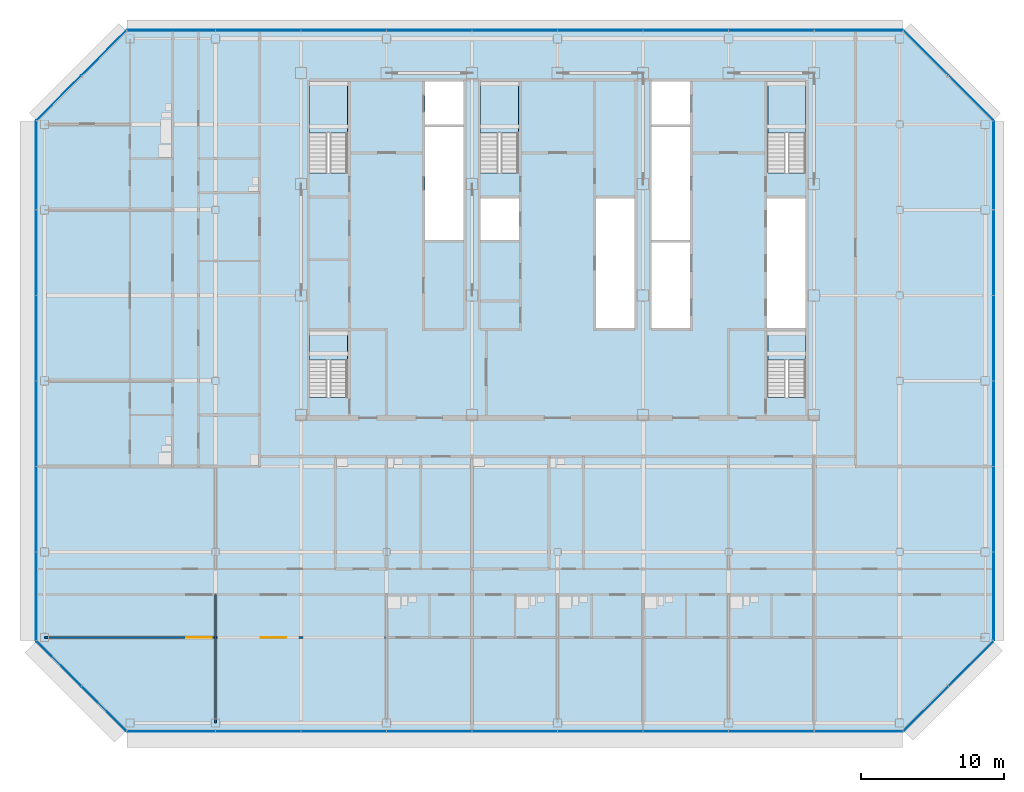
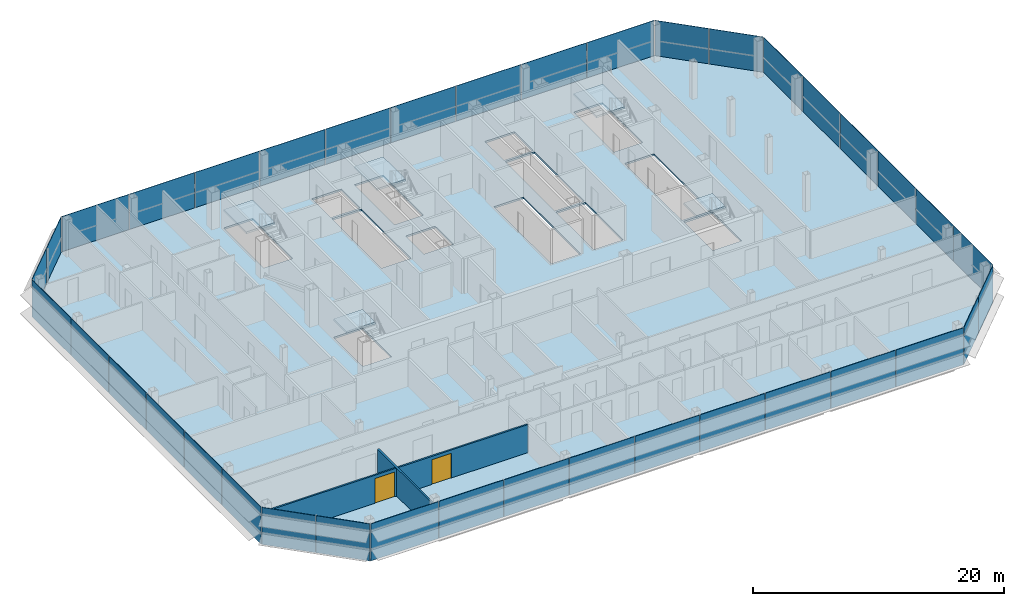
# One storey, part 20 of 28: 38 plates, 6 slabs, 2 doors, 2 walls, 2 openings, 13 elements without a shape of their own.
"""IFC4 building model written with IfcOpenShell, lengths in metres."""

from ifc_helpers import new_model, si_unit, direction, frame, frame_2d, origin, origin_2d, place, context, subcontext, project, spatial, polyline, rectangle, outline, extrude, material, layer, layer_set, type_object, element, fill, aggregate, save


model = new_model("IFC4")

# Units and contexts
model_context = context("Model", 3, precision=1e-05, world=origin(), true_north=direction((0.0, 1.0)))
body_context = subcontext(model_context, "Body", "Model", "MODEL_VIEW")
ifc_project = project(units=[si_unit("LENGTHUNIT", "METRE"), si_unit("AREAUNIT", "SQUARE_METRE"), si_unit("VOLUMEUNIT", "CUBIC_METRE"), si_unit("PLANEANGLEUNIT", "RADIAN"), si_unit("MASSUNIT", "GRAM", prefix="KILO")], contexts=[model_context])

# Site, building, storey
site_placement = place(None, origin())
site = spatial("IfcSite", under=ifc_project, at=site_placement, CompositionType="ELEMENT")
building_placement = place(site_placement, origin())
building = spatial("IfcBuilding", under=site, at=building_placement, Name="Sorahane Residences", CompositionType="ELEMENT")
storey_placement = place(building_placement, frame((0.0, 0.0, 250.39990234375)))
storey = spatial("IfcBuildingStorey", under=building, at=storey_placement, Name="L59", CompositionType="ELEMENT", Elevation=250.39990234375)

# Slab
ifc_material_1 = material(Name="Concrete C35", Category="concrete")
ifc_layer_1 = layer(ifc_material_1, 0.179931640625)
ifc_layer_set_1 = layer_set([ifc_layer_1], Name="Composite floor slab 180 mm Concrete C35")
slab_type_1 = type_object("IfcSlabType", Name="Composite floor slab 180 mm Concrete C35", PredefinedType="FLOOR", material=ifc_layer_set_1)
slab_1_placement = place(storey_placement, frame((0.0, 0.0, -0.179931640625)))
element("IfcSlab", 1, at=slab_1_placement, inside=storey, type_object=slab_type_1, Name="Slab L59", PredefinedType="FLOOR", context=body_context, shape_type="SweptSolid", body=[
    extrude(outline(polyline([(-6.24853515625, -0.60009765625), (-12.60009765625, 5.75146484375), (-12.60009765625, 42.24853515625), (-6.24853515625, 48.60009765625), (48.24853515625, 48.60009765625), (54.60009765625, 42.24853515625), (54.60009765625, 5.75146484375), (48.24853515625, -0.60009765625), (-6.24853515625, -0.60009765625)]), holes=[polyline([(38.699951171875, 27.699951171875), (41.39990234375, 27.699951171875), (41.39990234375, 36.800048828125), (38.699951171875, 36.800048828125), (38.699951171875, 27.699951171875)]), polyline([(30.60009765625, 27.699951171875), (33.300048828125, 27.699951171875), (33.300048828125, 33.699951171875), (30.60009765625, 33.699951171875), (30.60009765625, 27.699951171875)]), polyline([(30.60009765625, 42.0), (33.300048828125, 42.0), (33.300048828125, 45.0), (30.60009765625, 45.0), (30.60009765625, 42.0)]), polyline([(14.699951171875, 42.0), (17.39990234375, 42.0), (17.39990234375, 45.0), (14.699951171875, 45.0), (14.699951171875, 42.0)]), polyline([(9.25, 38.60009765625), (9.25, 45.0), (6.60009765625, 45.0), (6.60009765625, 38.60009765625), (9.25, 38.60009765625)]), polyline([(41.39990234375, 38.60009765625), (41.39990234375, 45.0), (38.75, 45.0), (38.75, 38.60009765625), (41.39990234375, 38.60009765625)]), polyline([(21.25, 38.60009765625), (21.25, 45.0), (18.60009765625, 45.0), (18.60009765625, 38.60009765625), (21.25, 38.60009765625)]), polyline([(9.25, 22.85009765625), (9.25, 27.5), (6.60009765625, 27.5), (6.60009765625, 22.85009765625), (9.25, 22.85009765625)]), polyline([(41.39990234375, 22.85009765625), (41.39990234375, 27.5), (38.75, 27.5), (38.75, 22.85009765625), (41.39990234375, 22.85009765625)]), polyline([(14.699951171875, 33.89990234375), (17.39990234375, 33.89990234375), (17.39990234375, 41.800048828125), (14.699951171875, 41.800048828125), (14.699951171875, 33.89990234375)]), polyline([(30.60009765625, 33.89990234375), (33.300048828125, 33.89990234375), (33.300048828125, 41.800048828125), (30.60009765625, 41.800048828125), (30.60009765625, 33.89990234375)]), polyline([(18.60009765625, 33.89990234375), (21.300048828125, 33.89990234375), (21.300048828125, 36.800048828125), (18.60009765625, 36.800048828125), (18.60009765625, 33.89990234375)]), polyline([(26.699951171875, 27.699951171875), (29.39990234375, 27.699951171875), (29.39990234375, 36.800048828125), (26.699951171875, 36.800048828125), (26.699951171875, 27.699951171875)])]), origin(), (0.0, 0.0, 1.0), 0.179931640625),
])

# Curtain wall, plates
ifc_material_2 = material(Name="Dark low-e glass and black anodised aluminium", Category="aluminium")
curtain_wall_type_1 = type_object("IfcCurtainWallType", Name="Curtain wall CW-1 Typical unitised wall", PredefinedType="NOTDEFINED", material=ifc_material_2)
curtain_wall_1_placement = place(storey_placement, origin())
curtain_wall_1 = element("IfcCurtainWall", 2, at=curtain_wall_1_placement, inside=storey, type_object=curtain_wall_type_1, Name="CW-1 curtain wall L59 S1", PredefinedType="NOTDEFINED")
ifc_material_3 = material(Name="Dark low-e glass with black ceramic frit", Category="glass")
ifc_layer_2 = layer(ifc_material_3, 0.0400390625)
ifc_layer_set_2 = layer_set([ifc_layer_2], Name="Curtain wall glass panel dark low-e with black frit spandrel band")
plate_type = type_object("IfcPlateType", Name="Curtain wall glass panel dark low-e with black frit spandrel band", PredefinedType="CURTAIN_PANEL", material=ifc_layer_set_2)
plate_1_placement = place(storey_placement, frame((-3.11181640625, -0.60009765625, -0.179931640625), z_axis=(0.0, 0.0, 1.0), x_axis=(1.0, 0.0, 0.0)))
plate_1 = element("IfcPlate", 3, at=plate_1_placement, type_object=plate_type, Name="CW-1 glass panel L59 S1.1", PredefinedType="CURTAIN_PANEL", context=body_context, shape_type="SweptSolid", body=[
    extrude(rectangle(XDim=6.173583984375, YDim=0.0400390625, at=origin_2d()), origin(), (0.0, 0.0, 1.0), 3.60009765625),
])
plate_2_placement = place(storey_placement, frame((3.0, -0.60009765625, -0.179931640625), z_axis=(0.0, 0.0, 1.0), x_axis=(1.0, 0.0, 0.0)))
plate_2 = element("IfcPlate", 4, at=plate_2_placement, type_object=plate_type, Name="CW-1 glass panel L59 S1.2", PredefinedType="CURTAIN_PANEL", context=body_context, shape_type="SweptSolid", body=[
    extrude(rectangle(XDim=5.949951171875, YDim=0.0400390625, at=origin_2d()), origin(), (0.0, 0.0, 1.0), 3.60009765625),
])
plate_3_placement = place(storey_placement, frame((9.0, -0.60009765625, -0.179931640625), z_axis=(0.0, 0.0, 1.0), x_axis=(1.0, 0.0, 0.0)))
plate_3 = element("IfcPlate", 5, at=plate_3_placement, type_object=plate_type, Name="CW-1 glass panel L59 S1.3", PredefinedType="CURTAIN_PANEL", context=body_context, shape_type="SweptSolid", body=[
    extrude(rectangle(XDim=5.949951171875, YDim=0.0400390625, at=origin_2d()), origin(), (0.0, 0.0, 1.0), 3.60009765625),
])
plate_4_placement = place(storey_placement, frame((15.0, -0.60009765625, -0.179931640625), z_axis=(0.0, 0.0, 1.0), x_axis=(1.0, 0.0, 0.0)))
plate_4 = element("IfcPlate", 6, at=plate_4_placement, type_object=plate_type, Name="CW-1 glass panel L59 S1.4", PredefinedType="CURTAIN_PANEL", context=body_context, shape_type="SweptSolid", body=[
    extrude(rectangle(XDim=5.949951171875, YDim=0.0400390625, at=origin_2d()), origin(), (0.0, 0.0, 1.0), 3.60009765625),
])
plate_5_placement = place(storey_placement, frame((21.0, -0.60009765625, -0.179931640625), z_axis=(0.0, 0.0, 1.0), x_axis=(1.0, 0.0, 0.0)))
plate_5 = element("IfcPlate", 7, at=plate_5_placement, type_object=plate_type, Name="CW-1 glass panel L59 S1.5", PredefinedType="CURTAIN_PANEL", context=body_context, shape_type="SweptSolid", body=[
    extrude(rectangle(XDim=5.949951171875, YDim=0.0400390625, at=origin_2d()), origin(), (0.0, 0.0, 1.0), 3.60009765625),
])
plate_6_placement = place(storey_placement, frame((27.0, -0.60009765625, -0.179931640625), z_axis=(0.0, 0.0, 1.0), x_axis=(1.0, 0.0, 0.0)))
plate_6 = element("IfcPlate", 8, at=plate_6_placement, type_object=plate_type, Name="CW-1 glass panel L59 S1.6", PredefinedType="CURTAIN_PANEL", context=body_context, shape_type="SweptSolid", body=[
    extrude(rectangle(XDim=5.949951171875, YDim=0.0400390625, at=origin_2d()), origin(), (0.0, 0.0, 1.0), 3.60009765625),
])
plate_7_placement = place(storey_placement, frame((33.0, -0.60009765625, -0.179931640625), z_axis=(0.0, 0.0, 1.0), x_axis=(1.0, 0.0, 0.0)))
plate_7 = element("IfcPlate", 9, at=plate_7_placement, type_object=plate_type, Name="CW-1 glass panel L59 S1.7", PredefinedType="CURTAIN_PANEL", context=body_context, shape_type="SweptSolid", body=[
    extrude(rectangle(XDim=5.949951171875, YDim=0.0400390625, at=origin_2d()), origin(), (0.0, 0.0, 1.0), 3.60009765625),
])
plate_8_placement = place(storey_placement, frame((39.0, -0.60009765625, -0.179931640625), z_axis=(0.0, 0.0, 1.0), x_axis=(1.0, 0.0, 0.0)))
plate_8 = element("IfcPlate", 10, at=plate_8_placement, type_object=plate_type, Name="CW-1 glass panel L59 S1.8", PredefinedType="CURTAIN_PANEL", context=body_context, shape_type="SweptSolid", body=[
    extrude(rectangle(XDim=5.949951171875, YDim=0.0400390625, at=origin_2d()), origin(), (0.0, 0.0, 1.0), 3.60009765625),
])
plate_9_placement = place(storey_placement, frame((45.11181640625, -0.60009765625, -0.179931640625), z_axis=(0.0, 0.0, 1.0), x_axis=(1.0, 0.0, 0.0)))
plate_9 = element("IfcPlate", 11, at=plate_9_placement, type_object=plate_type, Name="CW-1 glass panel L59 S1.9", PredefinedType="CURTAIN_PANEL", context=body_context, shape_type="SweptSolid", body=[
    extrude(rectangle(XDim=6.173583984375, YDim=0.0400390625, at=origin_2d()), origin(), (0.0, 0.0, 1.0), 3.60009765625),
])
aggregate(curtain_wall_1, [plate_1, plate_2, plate_3, plate_4, plate_5, plate_6, plate_7, plate_8, plate_9])

ifc_material_4 = material(Name="Dark low-e glass and black anodised aluminium", Category="aluminium")
curtain_wall_type_2 = type_object("IfcCurtainWallType", Name="Curtain wall CW-2 Chamfer unitised wall", PredefinedType="NOTDEFINED", material=ifc_material_4)
curtain_wall_2_placement = place(storey_placement, origin())
curtain_wall_2 = element("IfcCurtainWall", 12, at=curtain_wall_2_placement, inside=storey, type_object=curtain_wall_type_2, Name="CW-2 curtain wall L59 SE1", PredefinedType="NOTDEFINED")
plate_10_placement = place(storey_placement, frame((49.84521484375, 0.996826171875, -0.179931640625), z_axis=(0.0, 0.0, 1.0), x_axis=(0.707106781187, 0.707106781187, 0.0)))
plate_10 = element("IfcPlate", 13, at=plate_10_placement, type_object=plate_type, Name="CW-2 glass panel L59 SE1.1", PredefinedType="CURTAIN_PANEL", context=body_context, shape_type="SweptSolid", body=[
    extrude(rectangle(XDim=4.416259765625, YDim=0.0400390625, at=origin_2d()), origin(), (0.0, 0.0, 1.0), 3.60009765625),
])
plate_11_placement = place(storey_placement, frame((53.003173828125, 4.15478515625, -0.179931640625), z_axis=(0.0, 0.0, 1.0), x_axis=(0.707106781187, 0.707106781187, 0.0)))
plate_11 = element("IfcPlate", 14, at=plate_11_placement, type_object=plate_type, Name="CW-2 glass panel L59 SE1.2", PredefinedType="CURTAIN_PANEL", context=body_context, shape_type="SweptSolid", body=[
    extrude(rectangle(XDim=4.416259765625, YDim=0.0400390625, at=origin_2d()), origin(), (0.0, 0.0, 1.0), 3.60009765625),
])
aggregate(curtain_wall_2, [plate_10, plate_11])

curtain_wall_3_placement = place(storey_placement, origin())
curtain_wall_3 = element("IfcCurtainWall", 15, at=curtain_wall_3_placement, inside=storey, type_object=curtain_wall_type_1, Name="CW-1 curtain wall L59 E1", PredefinedType="NOTDEFINED")
plate_12_placement = place(storey_placement, frame((54.60009765625, 8.88818359375, -0.179931640625), z_axis=(0.0, 0.0, 1.0), x_axis=(0.0, 1.0, 0.0)))
plate_12 = element("IfcPlate", 16, at=plate_12_placement, type_object=plate_type, Name="CW-1 glass panel L59 E1.1", PredefinedType="CURTAIN_PANEL", context=body_context, shape_type="SweptSolid", body=[
    extrude(rectangle(XDim=6.173583984375, YDim=0.0400390625, at=origin_2d()), origin(), (0.0, 0.0, 1.0), 3.60009765625),
])
plate_13_placement = place(storey_placement, frame((54.60009765625, 15.0, -0.179931640625), z_axis=(0.0, 0.0, 1.0), x_axis=(0.0, 1.0, 0.0)))
plate_13 = element("IfcPlate", 17, at=plate_13_placement, type_object=plate_type, Name="CW-1 glass panel L59 E1.2", PredefinedType="CURTAIN_PANEL", context=body_context, shape_type="SweptSolid", body=[
    extrude(rectangle(XDim=5.949951171875, YDim=0.0400390625, at=origin_2d()), origin(), (0.0, 0.0, 1.0), 3.60009765625),
])
plate_14_placement = place(storey_placement, frame((54.60009765625, 21.0, -0.179931640625), z_axis=(0.0, 0.0, 1.0), x_axis=(0.0, 1.0, 0.0)))
plate_14 = element("IfcPlate", 18, at=plate_14_placement, type_object=plate_type, Name="CW-1 glass panel L59 E1.3", PredefinedType="CURTAIN_PANEL", context=body_context, shape_type="SweptSolid", body=[
    extrude(rectangle(XDim=5.949951171875, YDim=0.0400390625, at=origin_2d()), origin(), (0.0, 0.0, 1.0), 3.60009765625),
])
plate_15_placement = place(storey_placement, frame((54.60009765625, 27.0, -0.179931640625), z_axis=(0.0, 0.0, 1.0), x_axis=(0.0, 1.0, 0.0)))
plate_15 = element("IfcPlate", 19, at=plate_15_placement, type_object=plate_type, Name="CW-1 glass panel L59 E1.4", PredefinedType="CURTAIN_PANEL", context=body_context, shape_type="SweptSolid", body=[
    extrude(rectangle(XDim=5.949951171875, YDim=0.0400390625, at=origin_2d()), origin(), (0.0, 0.0, 1.0), 3.60009765625),
])
plate_16_placement = place(storey_placement, frame((54.60009765625, 33.0, -0.179931640625), z_axis=(0.0, 0.0, 1.0), x_axis=(0.0, 1.0, 0.0)))
plate_16 = element("IfcPlate", 20, at=plate_16_placement, type_object=plate_type, Name="CW-1 glass panel L59 E1.5", PredefinedType="CURTAIN_PANEL", context=body_context, shape_type="SweptSolid", body=[
    extrude(rectangle(XDim=5.949951171875, YDim=0.0400390625, at=origin_2d()), origin(), (0.0, 0.0, 1.0), 3.60009765625),
])
plate_17_placement = place(storey_placement, frame((54.60009765625, 39.11181640625, -0.179931640625), z_axis=(0.0, 0.0, 1.0), x_axis=(0.0, 1.0, 0.0)))
plate_17 = element("IfcPlate", 21, at=plate_17_placement, type_object=plate_type, Name="CW-1 glass panel L59 E1.6", PredefinedType="CURTAIN_PANEL", context=body_context, shape_type="SweptSolid", body=[
    extrude(rectangle(XDim=6.173583984375, YDim=0.0400390625, at=origin_2d()), origin(), (0.0, 0.0, 1.0), 3.60009765625),
])
aggregate(curtain_wall_3, [plate_12, plate_13, plate_14, plate_15, plate_16, plate_17])

curtain_wall_4_placement = place(storey_placement, origin())
curtain_wall_4 = element("IfcCurtainWall", 22, at=curtain_wall_4_placement, inside=storey, type_object=curtain_wall_type_2, Name="CW-2 curtain wall L59 NE1", PredefinedType="NOTDEFINED")
plate_18_placement = place(storey_placement, frame((53.003173828125, 43.84521484375, -0.179931640625), z_axis=(0.0, 0.0, 1.0), x_axis=(-0.707106781187, 0.707106781187, 0.0)))
plate_18 = element("IfcPlate", 23, at=plate_18_placement, type_object=plate_type, Name="CW-2 glass panel L59 NE1.1", PredefinedType="CURTAIN_PANEL", context=body_context, shape_type="SweptSolid", body=[
    extrude(rectangle(XDim=4.416259765625, YDim=0.0400390625, at=origin_2d()), origin(), (0.0, 0.0, 1.0), 3.60009765625),
])
plate_19_placement = place(storey_placement, frame((49.84521484375, 47.003173828125, -0.179931640625), z_axis=(0.0, 0.0, 1.0), x_axis=(-0.707106781187, 0.707106781187, 0.0)))
plate_19 = element("IfcPlate", 24, at=plate_19_placement, type_object=plate_type, Name="CW-2 glass panel L59 NE1.2", PredefinedType="CURTAIN_PANEL", context=body_context, shape_type="SweptSolid", body=[
    extrude(rectangle(XDim=4.416259765625, YDim=0.0400390625, at=origin_2d()), origin(), (0.0, 0.0, 1.0), 3.60009765625),
])
aggregate(curtain_wall_4, [plate_18, plate_19])

curtain_wall_5_placement = place(storey_placement, origin())
curtain_wall_5 = element("IfcCurtainWall", 25, at=curtain_wall_5_placement, inside=storey, type_object=curtain_wall_type_1, Name="CW-1 curtain wall L59 N1", PredefinedType="NOTDEFINED")
plate_20_placement = place(storey_placement, frame((45.11181640625, 48.60009765625, -0.179931640625), z_axis=(0.0, 0.0, 1.0), x_axis=(-1.0, 0.0, 0.0)))
plate_20 = element("IfcPlate", 26, at=plate_20_placement, type_object=plate_type, Name="CW-1 glass panel L59 N1.1", PredefinedType="CURTAIN_PANEL", context=body_context, shape_type="SweptSolid", body=[
    extrude(rectangle(XDim=6.173583984375, YDim=0.0400390625, at=origin_2d()), origin(), (0.0, 0.0, 1.0), 3.60009765625),
])
plate_21_placement = place(storey_placement, frame((39.0, 48.60009765625, -0.179931640625), z_axis=(0.0, 0.0, 1.0), x_axis=(-1.0, 0.0, 0.0)))
plate_21 = element("IfcPlate", 27, at=plate_21_placement, type_object=plate_type, Name="CW-1 glass panel L59 N1.2", PredefinedType="CURTAIN_PANEL", context=body_context, shape_type="SweptSolid", body=[
    extrude(rectangle(XDim=5.949951171875, YDim=0.0400390625, at=origin_2d()), origin(), (0.0, 0.0, 1.0), 3.60009765625),
])
plate_22_placement = place(storey_placement, frame((33.0, 48.60009765625, -0.179931640625), z_axis=(0.0, 0.0, 1.0), x_axis=(-1.0, 0.0, 0.0)))
plate_22 = element("IfcPlate", 28, at=plate_22_placement, type_object=plate_type, Name="CW-1 glass panel L59 N1.3", PredefinedType="CURTAIN_PANEL", context=body_context, shape_type="SweptSolid", body=[
    extrude(rectangle(XDim=5.949951171875, YDim=0.0400390625, at=origin_2d()), origin(), (0.0, 0.0, 1.0), 3.60009765625),
])
plate_23_placement = place(storey_placement, frame((27.0, 48.60009765625, -0.179931640625), z_axis=(0.0, 0.0, 1.0), x_axis=(-1.0, 0.0, 0.0)))
plate_23 = element("IfcPlate", 29, at=plate_23_placement, type_object=plate_type, Name="CW-1 glass panel L59 N1.4", PredefinedType="CURTAIN_PANEL", context=body_context, shape_type="SweptSolid", body=[
    extrude(rectangle(XDim=5.949951171875, YDim=0.0400390625, at=origin_2d()), origin(), (0.0, 0.0, 1.0), 3.60009765625),
])
plate_24_placement = place(storey_placement, frame((21.0, 48.60009765625, -0.179931640625), z_axis=(0.0, 0.0, 1.0), x_axis=(-1.0, 0.0, 0.0)))
plate_24 = element("IfcPlate", 30, at=plate_24_placement, type_object=plate_type, Name="CW-1 glass panel L59 N1.5", PredefinedType="CURTAIN_PANEL", context=body_context, shape_type="SweptSolid", body=[
    extrude(rectangle(XDim=5.949951171875, YDim=0.0400390625, at=origin_2d()), origin(), (0.0, 0.0, 1.0), 3.60009765625),
])
plate_25_placement = place(storey_placement, frame((15.0, 48.60009765625, -0.179931640625), z_axis=(0.0, 0.0, 1.0), x_axis=(-1.0, 0.0, 0.0)))
plate_25 = element("IfcPlate", 31, at=plate_25_placement, type_object=plate_type, Name="CW-1 glass panel L59 N1.6", PredefinedType="CURTAIN_PANEL", context=body_context, shape_type="SweptSolid", body=[
    extrude(rectangle(XDim=5.949951171875, YDim=0.0400390625, at=origin_2d()), origin(), (0.0, 0.0, 1.0), 3.60009765625),
])
plate_26_placement = place(storey_placement, frame((9.0, 48.60009765625, -0.179931640625), z_axis=(0.0, 0.0, 1.0), x_axis=(-1.0, 0.0, 0.0)))
plate_26 = element("IfcPlate", 32, at=plate_26_placement, type_object=plate_type, Name="CW-1 glass panel L59 N1.7", PredefinedType="CURTAIN_PANEL", context=body_context, shape_type="SweptSolid", body=[
    extrude(rectangle(XDim=5.949951171875, YDim=0.0400390625, at=origin_2d()), origin(), (0.0, 0.0, 1.0), 3.60009765625),
])
plate_27_placement = place(storey_placement, frame((3.0, 48.60009765625, -0.179931640625), z_axis=(0.0, 0.0, 1.0), x_axis=(-1.0, 0.0, 0.0)))
plate_27 = element("IfcPlate", 33, at=plate_27_placement, type_object=plate_type, Name="CW-1 glass panel L59 N1.8", PredefinedType="CURTAIN_PANEL", context=body_context, shape_type="SweptSolid", body=[
    extrude(rectangle(XDim=5.949951171875, YDim=0.0400390625, at=origin_2d()), origin(), (0.0, 0.0, 1.0), 3.60009765625),
])
plate_28_placement = place(storey_placement, frame((-3.11181640625, 48.60009765625, -0.179931640625), z_axis=(0.0, 0.0, 1.0), x_axis=(-1.0, 0.0, 0.0)))
plate_28 = element("IfcPlate", 34, at=plate_28_placement, type_object=plate_type, Name="CW-1 glass panel L59 N1.9", PredefinedType="CURTAIN_PANEL", context=body_context, shape_type="SweptSolid", body=[
    extrude(rectangle(XDim=6.173583984375, YDim=0.0400390625, at=origin_2d()), origin(), (0.0, 0.0, 1.0), 3.60009765625),
])
aggregate(curtain_wall_5, [plate_20, plate_21, plate_22, plate_23, plate_24, plate_25, plate_26, plate_27, plate_28])

curtain_wall_6_placement = place(storey_placement, origin())
curtain_wall_6 = element("IfcCurtainWall", 35, at=curtain_wall_6_placement, inside=storey, type_object=curtain_wall_type_2, Name="CW-2 curtain wall L59 NW1", PredefinedType="NOTDEFINED")
plate_29_placement = place(storey_placement, frame((-7.84521484375, 47.003173828125, -0.179931640625), z_axis=(0.0, 0.0, 1.0), x_axis=(-0.707106781187, -0.707106781187, 0.0)))
plate_29 = element("IfcPlate", 36, at=plate_29_placement, type_object=plate_type, Name="CW-2 glass panel L59 NW1.1", PredefinedType="CURTAIN_PANEL", context=body_context, shape_type="SweptSolid", body=[
    extrude(rectangle(XDim=4.416259765625, YDim=0.0400390625, at=origin_2d()), origin(), (0.0, 0.0, 1.0), 3.60009765625),
])
plate_30_placement = place(storey_placement, frame((-11.003173828125, 43.84521484375, -0.179931640625), z_axis=(0.0, 0.0, 1.0), x_axis=(-0.707106781187, -0.707106781187, 0.0)))
plate_30 = element("IfcPlate", 37, at=plate_30_placement, type_object=plate_type, Name="CW-2 glass panel L59 NW1.2", PredefinedType="CURTAIN_PANEL", context=body_context, shape_type="SweptSolid", body=[
    extrude(rectangle(XDim=4.416259765625, YDim=0.0400390625, at=origin_2d()), origin(), (0.0, 0.0, 1.0), 3.60009765625),
])
aggregate(curtain_wall_6, [plate_29, plate_30])

curtain_wall_7_placement = place(storey_placement, origin())
curtain_wall_7 = element("IfcCurtainWall", 38, at=curtain_wall_7_placement, inside=storey, type_object=curtain_wall_type_1, Name="CW-1 curtain wall L59 W1", PredefinedType="NOTDEFINED")
plate_31_placement = place(storey_placement, frame((-12.60009765625, 39.11181640625, -0.179931640625), z_axis=(0.0, 0.0, 1.0), x_axis=(0.0, -1.0, 0.0)))
plate_31 = element("IfcPlate", 39, at=plate_31_placement, type_object=plate_type, Name="CW-1 glass panel L59 W1.1", PredefinedType="CURTAIN_PANEL", context=body_context, shape_type="SweptSolid", body=[
    extrude(rectangle(XDim=6.173583984375, YDim=0.0400390625, at=origin_2d()), origin(), (0.0, 0.0, 1.0), 3.60009765625),
])
plate_32_placement = place(storey_placement, frame((-12.60009765625, 33.0, -0.179931640625), z_axis=(0.0, 0.0, 1.0), x_axis=(0.0, -1.0, 0.0)))
plate_32 = element("IfcPlate", 40, at=plate_32_placement, type_object=plate_type, Name="CW-1 glass panel L59 W1.2", PredefinedType="CURTAIN_PANEL", context=body_context, shape_type="SweptSolid", body=[
    extrude(rectangle(XDim=5.949951171875, YDim=0.0400390625, at=origin_2d()), origin(), (0.0, 0.0, 1.0), 3.60009765625),
])
plate_33_placement = place(storey_placement, frame((-12.60009765625, 27.0, -0.179931640625), z_axis=(0.0, 0.0, 1.0), x_axis=(0.0, -1.0, 0.0)))
plate_33 = element("IfcPlate", 41, at=plate_33_placement, type_object=plate_type, Name="CW-1 glass panel L59 W1.3", PredefinedType="CURTAIN_PANEL", context=body_context, shape_type="SweptSolid", body=[
    extrude(rectangle(XDim=5.949951171875, YDim=0.0400390625, at=origin_2d()), origin(), (0.0, 0.0, 1.0), 3.60009765625),
])
plate_34_placement = place(storey_placement, frame((-12.60009765625, 21.0, -0.179931640625), z_axis=(0.0, 0.0, 1.0), x_axis=(0.0, -1.0, 0.0)))
plate_34 = element("IfcPlate", 42, at=plate_34_placement, type_object=plate_type, Name="CW-1 glass panel L59 W1.4", PredefinedType="CURTAIN_PANEL", context=body_context, shape_type="SweptSolid", body=[
    extrude(rectangle(XDim=5.949951171875, YDim=0.0400390625, at=origin_2d()), origin(), (0.0, 0.0, 1.0), 3.60009765625),
])
plate_35_placement = place(storey_placement, frame((-12.60009765625, 15.0, -0.179931640625), z_axis=(0.0, 0.0, 1.0), x_axis=(0.0, -1.0, 0.0)))
plate_35 = element("IfcPlate", 43, at=plate_35_placement, type_object=plate_type, Name="CW-1 glass panel L59 W1.5", PredefinedType="CURTAIN_PANEL", context=body_context, shape_type="SweptSolid", body=[
    extrude(rectangle(XDim=5.949951171875, YDim=0.0400390625, at=origin_2d()), origin(), (0.0, 0.0, 1.0), 3.60009765625),
])
plate_36_placement = place(storey_placement, frame((-12.60009765625, 8.88818359375, -0.179931640625), z_axis=(0.0, 0.0, 1.0), x_axis=(0.0, -1.0, 0.0)))
plate_36 = element("IfcPlate", 44, at=plate_36_placement, type_object=plate_type, Name="CW-1 glass panel L59 W1.6", PredefinedType="CURTAIN_PANEL", context=body_context, shape_type="SweptSolid", body=[
    extrude(rectangle(XDim=6.173583984375, YDim=0.0400390625, at=origin_2d()), origin(), (0.0, 0.0, 1.0), 3.60009765625),
])
aggregate(curtain_wall_7, [plate_31, plate_32, plate_33, plate_34, plate_35, plate_36])

curtain_wall_8_placement = place(storey_placement, origin())
curtain_wall_8 = element("IfcCurtainWall", 45, at=curtain_wall_8_placement, inside=storey, type_object=curtain_wall_type_2, Name="CW-2 curtain wall L59 SW1", PredefinedType="NOTDEFINED")
plate_37_placement = place(storey_placement, frame((-11.003173828125, 4.15478515625, -0.179931640625), z_axis=(0.0, 0.0, 1.0), x_axis=(0.707106781187, -0.707106781187, 0.0)))
plate_37 = element("IfcPlate", 46, at=plate_37_placement, type_object=plate_type, Name="CW-2 glass panel L59 SW1.1", PredefinedType="CURTAIN_PANEL", context=body_context, shape_type="SweptSolid", body=[
    extrude(rectangle(XDim=4.416259765625, YDim=0.0400390625, at=origin_2d()), origin(), (0.0, 0.0, 1.0), 3.60009765625),
])
plate_38_placement = place(storey_placement, frame((-7.84521484375, 0.996826171875, -0.179931640625), z_axis=(0.0, 0.0, 1.0), x_axis=(0.707106781187, -0.707106781187, 0.0)))
plate_38 = element("IfcPlate", 47, at=plate_38_placement, type_object=plate_type, Name="CW-2 glass panel L59 SW1.2", PredefinedType="CURTAIN_PANEL", context=body_context, shape_type="SweptSolid", body=[
    extrude(rectangle(XDim=4.416259765625, YDim=0.0400390625, at=origin_2d()), origin(), (0.0, 0.0, 1.0), 3.60009765625),
])
aggregate(curtain_wall_8, [plate_37, plate_38])

# Stair, slab
ifc_material_5 = material(Name="Concrete C40", Category="concrete")
stair_type = type_object("IfcStairType", Name="Dog-leg stair 1250 Concrete C40", PredefinedType="HALF_TURN_STAIR", material=ifc_material_5)
stair_1_placement = place(storey_placement, origin())
stair_1 = element("IfcStair", 48, at=stair_1_placement, inside=storey, type_object=stair_type, Name="L59 Stair S1", PredefinedType="HALF_TURN_STAIR")
ifc_material_6 = material(Name="Concrete C40", Category="concrete")
ifc_layer_3 = layer(ifc_material_6, 0.199951171875)
ifc_layer_set_3 = layer_set([ifc_layer_3], Name="Stair landing 200 Concrete C40")
slab_type_2 = type_object("IfcSlabType", Name="Stair landing 200 Concrete C40", PredefinedType="LANDING", material=ifc_layer_set_3)
slab_2_placement = place(storey_placement, frame((0.0, 0.0, 1.60009765625)))
slab_2 = element("IfcSlab", 49, at=slab_2_placement, type_object=slab_type_2, Name="S1 landing 1", PredefinedType="LANDING", context=body_context, shape_type="SweptSolid", body=[
    extrude(outline(polyline([(9.25, 41.39990234375), (9.25, 45.0), (6.60009765625, 45.0), (6.60009765625, 41.39990234375), (9.25, 41.39990234375)])), origin(), (0.0, 0.0, 1.0), 0.199951171875),
])
aggregate(stair_1, [slab_2])

stair_2_placement = place(storey_placement, origin())
stair_2 = element("IfcStair", 50, at=stair_2_placement, inside=storey, type_object=stair_type, Name="L59 Stair S2", PredefinedType="HALF_TURN_STAIR")
slab_3_placement = place(storey_placement, frame((0.0, 0.0, 1.60009765625)))
slab_3 = element("IfcSlab", 51, at=slab_3_placement, type_object=slab_type_2, Name="S2 landing 1", PredefinedType="LANDING", context=body_context, shape_type="SweptSolid", body=[
    extrude(outline(polyline([(41.39990234375, 41.39990234375), (41.39990234375, 45.0), (38.75, 45.0), (38.75, 41.39990234375), (41.39990234375, 41.39990234375)])), origin(), (0.0, 0.0, 1.0), 0.199951171875),
])
aggregate(stair_2, [slab_3])

stair_3_placement = place(storey_placement, origin())
stair_3 = element("IfcStair", 52, at=stair_3_placement, inside=storey, type_object=stair_type, Name="L59 Stair S3", PredefinedType="HALF_TURN_STAIR")
slab_4_placement = place(storey_placement, frame((0.0, 0.0, 1.60009765625)))
slab_4 = element("IfcSlab", 53, at=slab_4_placement, type_object=slab_type_2, Name="S3 landing 1", PredefinedType="LANDING", context=body_context, shape_type="SweptSolid", body=[
    extrude(outline(polyline([(21.25, 41.39990234375), (21.25, 45.0), (18.60009765625, 45.0), (18.60009765625, 41.39990234375), (21.25, 41.39990234375)])), origin(), (0.0, 0.0, 1.0), 0.199951171875),
])
aggregate(stair_3, [slab_4])

stair_4_placement = place(storey_placement, origin())
stair_4 = element("IfcStair", 54, at=stair_4_placement, inside=storey, type_object=stair_type, Name="L59 Stair S4", PredefinedType="HALF_TURN_STAIR")
slab_5_placement = place(storey_placement, frame((0.0, 0.0, 1.60009765625)))
slab_5 = element("IfcSlab", 55, at=slab_5_placement, type_object=slab_type_2, Name="S4 landing 1", PredefinedType="LANDING", context=body_context, shape_type="SweptSolid", body=[
    extrude(outline(polyline([(9.25, 25.449951171875), (9.25, 27.5), (6.60009765625, 27.5), (6.60009765625, 25.449951171875), (9.25, 25.449951171875)])), origin(), (0.0, 0.0, 1.0), 0.199951171875),
])
aggregate(stair_4, [slab_5])

stair_5_placement = place(storey_placement, origin())
stair_5 = element("IfcStair", 56, at=stair_5_placement, inside=storey, type_object=stair_type, Name="L59 Stair S5", PredefinedType="HALF_TURN_STAIR")
slab_6_placement = place(storey_placement, frame((0.0, 0.0, 1.60009765625)))
slab_6 = element("IfcSlab", 57, at=slab_6_placement, type_object=slab_type_2, Name="S5 landing 1", PredefinedType="LANDING", context=body_context, shape_type="SweptSolid", body=[
    extrude(outline(polyline([(41.39990234375, 25.449951171875), (41.39990234375, 27.5), (38.75, 27.5), (38.75, 25.449951171875), (41.39990234375, 25.449951171875)])), origin(), (0.0, 0.0, 1.0), 0.199951171875),
])
aggregate(stair_5, [slab_6])

# Wall
ifc_material_7 = material(Name="Gypsum board partition on steel studs", Category="steel")
ifc_layer_4 = layer(ifc_material_7, 0.14990234375)
ifc_layer_set_4 = layer_set([ifc_layer_4], Name="Partition 150 EI 90")
wall_type = type_object("IfcWallType", Name="Partition 150 EI 90", PredefinedType="PARTITIONING", material=ifc_layer_set_4)
wall_1_placement = place(storey_placement, frame((0.0, 0.0, 0.0), z_axis=(0.0, 0.0, 1.0), x_axis=(0.0, 1.0, 0.0)))
element("IfcWall", 58, at=wall_1_placement, inside=storey, type_object=wall_type, Name="L59 partition", PredefinedType="PARTITIONING", context=body_context, shape_type="SweptSolid", body=[
    extrude(rectangle(XDim=9.0, YDim=0.14990234375, at=frame_2d((4.5, 0.0))), origin(), (0.0, 0.0, 1.0), 2.72021484375),
])

# Wall, openings, doors
wall_2_placement = place(storey_placement, frame((-12.0, 6.0, 0.0), z_axis=(0.0, 0.0, 1.0), x_axis=(1.0, 0.0, 0.0)))
wall_2 = element("IfcWall", 59, at=wall_2_placement, inside=storey, type_object=wall_type, Name="L59 partition", PredefinedType="PARTITIONING", context=body_context, shape_type="SweptSolid", body=[
    extrude(rectangle(XDim=24.0, YDim=0.14990234375, at=frame_2d((12.0, 0.0))), origin(), (0.0, 0.0, 1.0), 2.72021484375),
])
opening_1_placement = place(wall_2_placement, frame((9.949951171875, 0.0, 0.0)))
opening_1 = element("IfcOpeningElement", 60, at=opening_1_placement, cuts=wall_2, Name="Opening L59-09", PredefinedType="OPENING", context=body_context, shape_type="SweptSolid", body=[
    extrude(rectangle(XDim=1.800048828125, YDim=2.39990234375, at=frame_2d((0.89990234375, 1.199951171875))), frame((0.0, 0.0849609375, 0.0), z_axis=(0.0, -1.0, 0.0), x_axis=(1.0, 0.0, 0.0)), (0.0, 0.0, 1.0), 0.169921875),
])
opening_2_placement = place(wall_2_placement, frame((15.159912109375, 0.0, 0.0)))
opening_2 = element("IfcOpeningElement", 61, at=opening_2_placement, cuts=wall_2, Name="Opening L59-10", PredefinedType="OPENING", context=body_context, shape_type="SweptSolid", body=[
    extrude(rectangle(XDim=1.800048828125, YDim=2.39990234375, at=frame_2d((0.89990234375, 1.199951171875))), frame((0.0, 0.0849609375, 0.0), z_axis=(0.0, -1.0, 0.0), x_axis=(1.0, 0.0, 0.0)), (0.0, 0.0, 1.0), 0.169921875),
])
ifc_material_8 = material(Name="Timber veneered fire door", Category="wood")
door_type = type_object("IfcDoorType", Name="Double door 1800x2400 FD30", OperationType="NOTDEFINED", PredefinedType="DOOR", material=ifc_material_8)
door_1_placement = place(opening_1_placement, frame((1.800048828125, 0.0, 0.0), z_axis=(0.0, 0.0, 1.0), x_axis=(-1.0, 0.0, 0.0)))
door_1 = element("IfcDoor", 62, at=door_1_placement, inside=storey, type_object=door_type, Name="Double door L59-09", OperationType="SINGLE_SWING_RIGHT", OverallHeight=2.39990234375, OverallWidth=1.800048828125, PredefinedType="DOOR", context=body_context, shape_type="SweptSolid", body=[
    extrude(rectangle(XDim=1.800048828125, YDim=2.39990234375, at=frame_2d((0.89990234375, 1.199951171875))), frame((0.0, 0.02490234375, 0.0), z_axis=(0.0, -1.0, 0.0), x_axis=(1.0, 0.0, 0.0)), (0.0, 0.0, 1.0), 0.050048828125),
])
fill(opening_1, door_1)
door_2_placement = place(opening_2_placement, frame((1.800048828125, 0.0, 0.0), z_axis=(0.0, 0.0, 1.0), x_axis=(-1.0, 0.0, 0.0)))
door_2 = element("IfcDoor", 63, at=door_2_placement, inside=storey, type_object=door_type, Name="Double door L59-10", OperationType="SINGLE_SWING_LEFT", OverallHeight=2.39990234375, OverallWidth=1.800048828125, PredefinedType="DOOR", context=body_context, shape_type="SweptSolid", body=[
    extrude(rectangle(XDim=1.800048828125, YDim=2.39990234375, at=frame_2d((0.89990234375, 1.199951171875))), frame((0.0, 0.02490234375, 0.0), z_axis=(0.0, -1.0, 0.0), x_axis=(1.0, 0.0, 0.0)), (0.0, 0.0, 1.0), 0.050048828125),
])
fill(opening_2, door_2)

save(model, "model.ifc")
